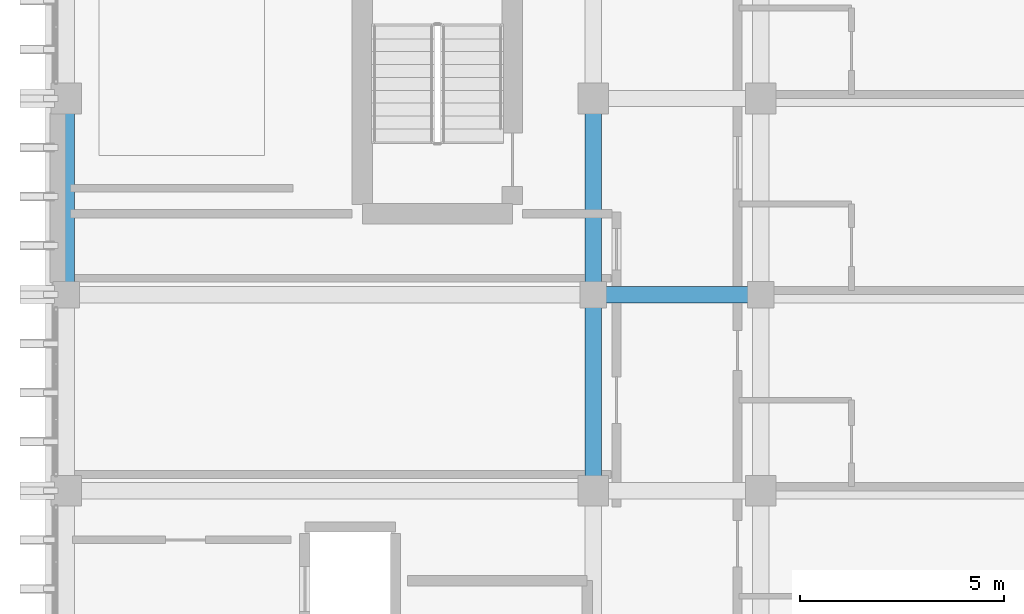
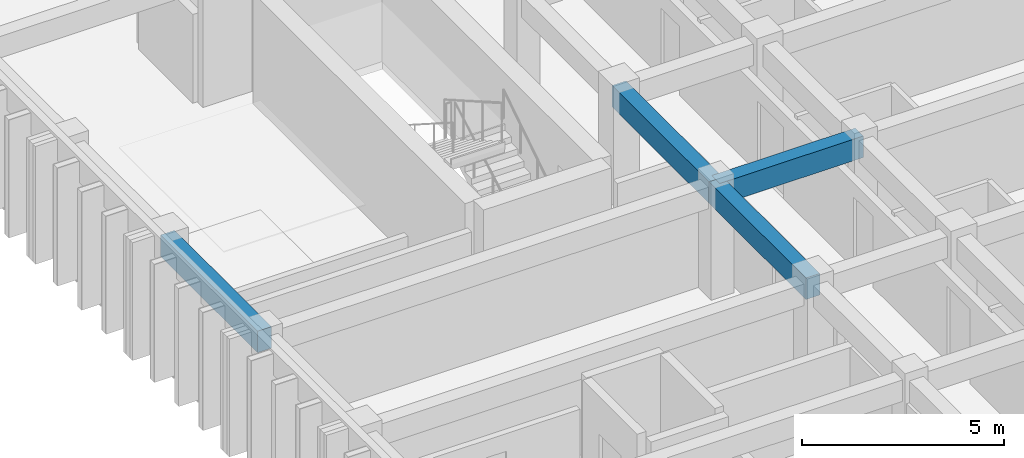
# One storey, part 35 of 64: 4 beams.
"""IFC4 building model written with IfcOpenShell, lengths in metres."""

from ifc_helpers import new_model, si_unit, direction, frame, origin, origin_2d, place, context, subcontext, project, spatial, rectangle, extrude, material, material_profile, profile_set, type_object, element, save


model = new_model("IFC4")

# Units and contexts
model_context = context("Model", 3, precision=1e-05, world=origin(), true_north=direction((0.0, 1.0)))
body_context = subcontext(model_context, "Body", "Model", "MODEL_VIEW")
ifc_project = project(units=[si_unit("LENGTHUNIT", "METRE"), si_unit("AREAUNIT", "SQUARE_METRE"), si_unit("VOLUMEUNIT", "CUBIC_METRE"), si_unit("PLANEANGLEUNIT", "RADIAN"), si_unit("MASSUNIT", "GRAM", prefix="KILO")], contexts=[model_context])

# Site, building, storey
site_placement = place(None, origin())
site = spatial("IfcSite", under=ifc_project, at=site_placement, CompositionType="ELEMENT")
building_placement = place(site_placement, origin())
building = spatial("IfcBuilding", under=site, at=building_placement, Name="Nakhvara Creek Congress Hotel", CompositionType="ELEMENT")
storey_placement = place(building_placement, frame((0.0, 0.0, 28.199951171875)))
storey = spatial("IfcBuildingStorey", under=building, at=storey_placement, Name="L06", CompositionType="ELEMENT", Elevation=28.199951171875)

# Beams
ifc_material = material(Name="Concrete C40/50", Category="concrete")
ifc_material_profile = material_profile(ifc_material, rectangle(XDim=0.39990234375, YDim=0.64990234375, at=origin_2d()), Name="RC-BM 400x650", Category="LoadBearing")
ifc_profile_set = profile_set([ifc_material_profile], Name="Concrete C40/50")
beam_type = type_object("IfcBeamType", Name="BM-RC-400X650", PredefinedType="BEAM", material=ifc_profile_set)
for number, where, z_axis, x_axis, name in (
    (1, (149.449951171875, 100.800048828125, 3.01513671875), (0.0, 1.0, 0.0), (-1.0, 0.0, 0.0), "Beam B06-L06-2212"),
    (2, (162.35009765625, 96.0, 3.01513671875), (0.0, 1.0, 0.0), (-1.0, 0.0, 0.0), "Beam B06-L06-2238"),
    (3, (162.35009765625, 100.800048828125, 3.01513671875), (0.0, 1.0, 0.0), (-1.0, 0.0, 0.0), "Beam B06-L06-2240"),
):
    element("IfcBeam", number, at=place(storey_placement, frame(where, z_axis=z_axis, x_axis=x_axis)), inside=storey, type_object=beam_type, Name=name, PredefinedType="BEAM", context=body_context, shape_type="SweptSolid", body=[
        extrude(rectangle(XDim=0.39990234375, YDim=0.64990234375, at=origin_2d()), origin(), (0.0, 0.0, 1.0), 4.800048828125),
    ])
beam_placement = place(storey_placement, frame((162.35009765625, 100.800048828125, 3.01513671875), z_axis=(1.0, 0.0, 0.0), x_axis=(0.0, 1.0, 0.0)))
element("IfcBeam", 4, at=beam_placement, inside=storey, type_object=beam_type, Name="Beam B06-L06-2306", PredefinedType="BEAM", context=body_context, shape_type="SweptSolid", body=[
    extrude(rectangle(XDim=0.39990234375, YDim=0.64990234375, at=origin_2d()), origin(), (0.0, 0.0, 1.0), 4.099853515625),
])

save(model, "model.ifc")
